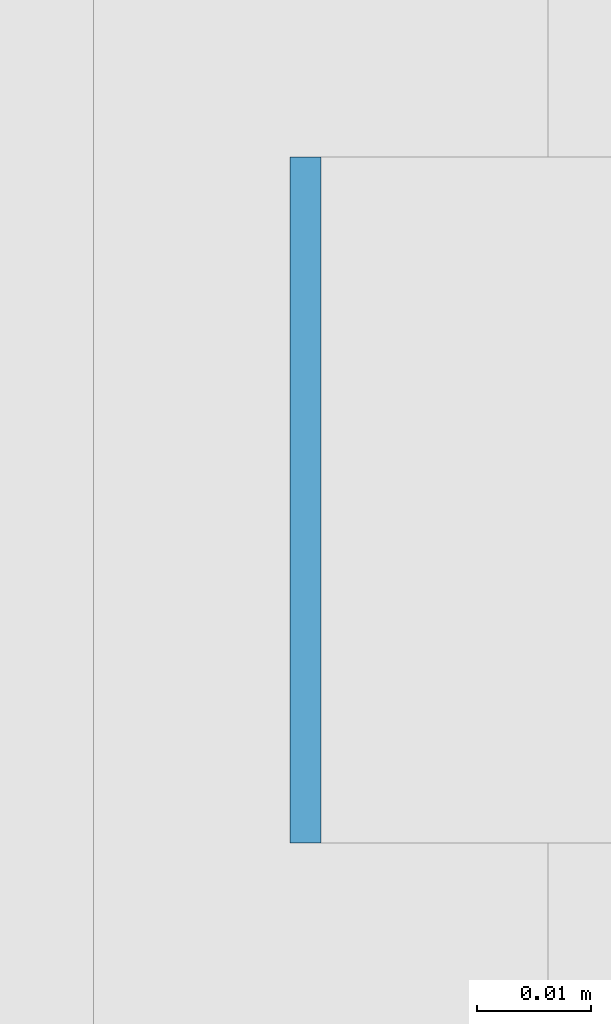
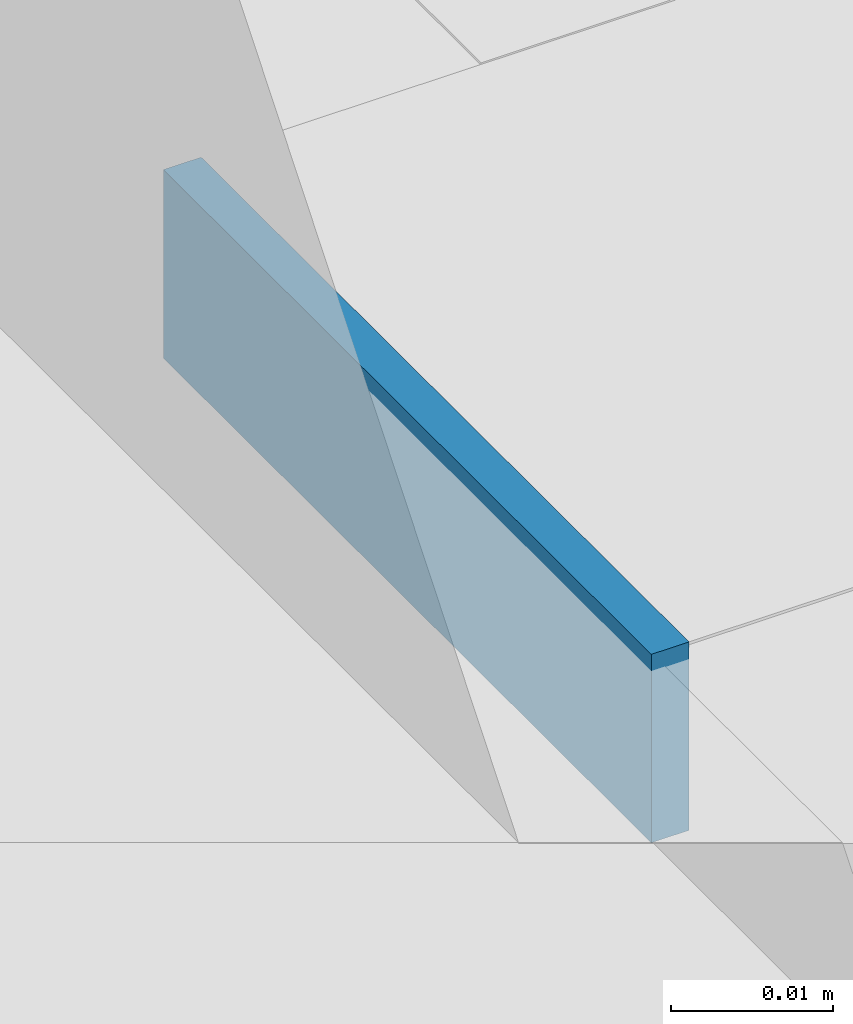
# One storey, part 487 of 646: 1 discrete accessory.
"""IFC4 building model written with IfcOpenShell, lengths in metres."""

from ifc_helpers import new_model, si_unit, direction, frame, origin, origin_2d, place, context, subcontext, project, spatial, rectangle, extrude, material, type_object, element, save


model = new_model("IFC4")

# Units and contexts
model_context = context("Model", 3, precision=1e-05, world=origin(), true_north=direction((0.0, 1.0)))
body_context = subcontext(model_context, "Body", "Model", "MODEL_VIEW")
ifc_project = project(units=[si_unit("LENGTHUNIT", "METRE"), si_unit("AREAUNIT", "SQUARE_METRE"), si_unit("VOLUMEUNIT", "CUBIC_METRE"), si_unit("PLANEANGLEUNIT", "RADIAN"), si_unit("MASSUNIT", "GRAM", prefix="KILO")], contexts=[model_context])

# Site, building, storey
site_placement = place(None, origin())
site = spatial("IfcSite", under=ifc_project, at=site_placement, CompositionType="ELEMENT")
building_placement = place(site_placement, origin())
building = spatial("IfcBuilding", under=site, at=building_placement, Name="Silverbay Arena", CompositionType="ELEMENT")
storey_placement = place(building_placement, frame((0.0, 0.0, 33.5)))
storey = spatial("IfcBuildingStorey", under=building, at=storey_placement, Name="L05", CompositionType="ELEMENT", Elevation=33.5)

# Discrete accessory
ifc_material = material(Name="Steel S355", Category="steel")
discrete_accessory_type = type_object("IfcDiscreteAccessoryType", Name="Steel bracket plate", PredefinedType="BRACKET", material=ifc_material)
discrete_accessory_placement = place(storey_placement, frame((207.128662109375, 60.428466796875, 12.98583984375), z_axis=(0.0, 0.0, 1.0), x_axis=(1.0, 0.0, 0.0)))
element("IfcDiscreteAccessory", 1, at=discrete_accessory_placement, inside=storey, type_object=discrete_accessory_type, Name="Curtain wall packing plate", PredefinedType="BRACKET", context=body_context, shape_type="SweptSolid", body=[
    extrude(rectangle(XDim=0.002685546875, YDim=0.06005859375, at=origin_2d()), origin(), (0.0, 0.0, 1.0), 0.01416015625),
])

save(model, "model.ifc")
